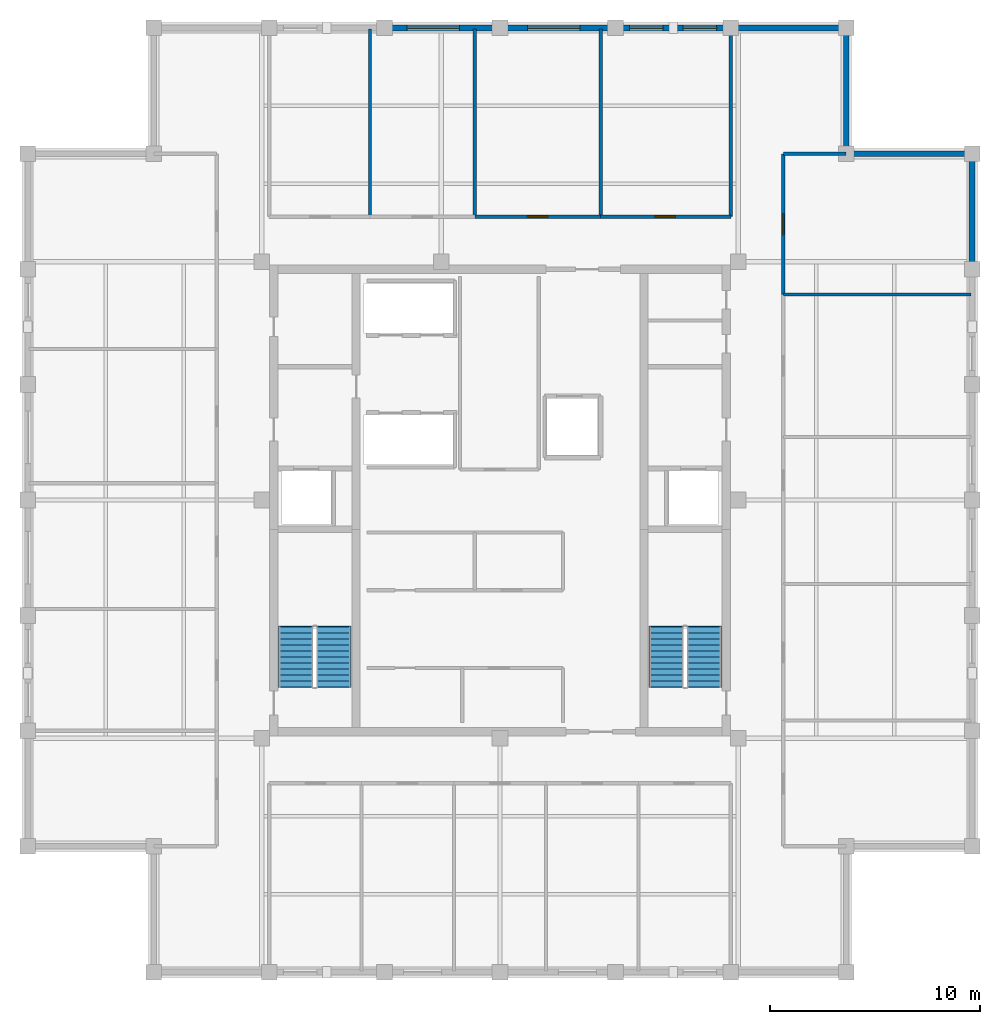
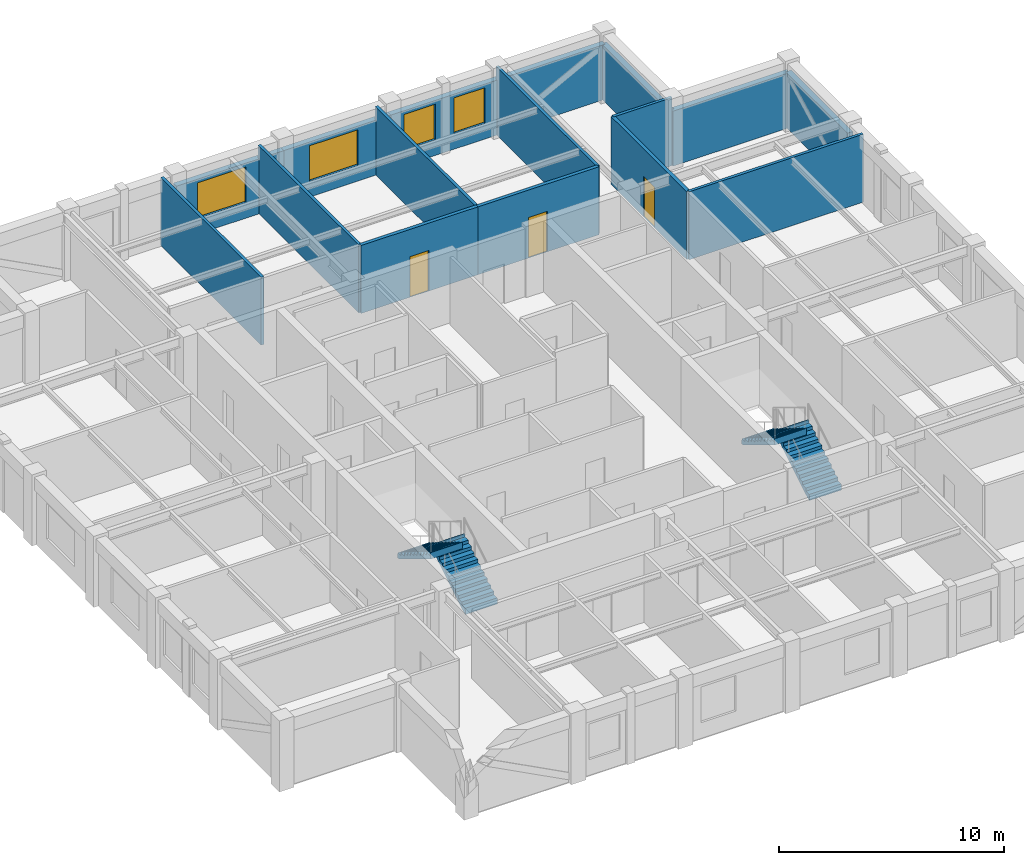
# One storey, part 5 of 6: 16 walls, 4 stair flights, 4 windows, 3 doors, 7 openings, 2 elements without a shape of their own.
"""IFC4 building model written with IfcOpenShell, lengths in metres."""

from ifc_helpers import new_model, si_unit, direction, frame, frame_2d, origin, place, context, subcontext, project, spatial, polyline, rectangle, outline, extrude, material, layer, layer_set, type_object, element, fill, aggregate, save


model = new_model("IFC4")

# Units and contexts
model_context = context("Model", 3, precision=1e-05, world=origin(), true_north=direction((0.0, 1.0)))
body_context = subcontext(model_context, "Body", "Model", "MODEL_VIEW")
ifc_project = project(units=[si_unit("LENGTHUNIT", "METRE"), si_unit("AREAUNIT", "SQUARE_METRE"), si_unit("VOLUMEUNIT", "CUBIC_METRE"), si_unit("PLANEANGLEUNIT", "RADIAN"), si_unit("MASSUNIT", "GRAM", prefix="KILO")], contexts=[model_context])

# Site, building, storey
site_placement = place(None, origin())
site = spatial("IfcSite", under=ifc_project, at=site_placement, CompositionType="ELEMENT")
building_placement = place(site_placement, origin())
building = spatial("IfcBuilding", under=site, at=building_placement, Name="Nhamokura Convention Tower", CompositionType="ELEMENT")
storey_placement = place(building_placement, frame((0.0, 0.0, 289.10009765625)))
storey = spatial("IfcBuildingStorey", under=building, at=storey_placement, Name="L71", CompositionType="ELEMENT", Elevation=289.10009765625)

# Wall, opening, window
ifc_material_1 = material(Name="Bronze-pigmented precast concrete C45/55", Category="concrete")
ifc_layer_1 = layer(ifc_material_1, 0.280029296875)
ifc_layer_set_1 = layer_set([ifc_layer_1], Name="BronzePrecastSpandrel_280")
wall_type_1 = type_object("IfcWallType", Name="BronzePrecastSpandrel_280", PredefinedType="USERDEFINED", material=ifc_layer_set_1)
wall_1_placement = place(storey_placement, frame((26.5, 54.5, 0.0), z_axis=(0.0, 0.0, 1.0), x_axis=(1.0, 0.0, 0.0)))
wall_1 = element("IfcWall", 1, at=wall_1_placement, inside=storey, type_object=wall_type_1, Name="L71 Masonry-Frame Wall NORTH 2", ObjectType="SPANDREL_WALL", PredefinedType="USERDEFINED", context=body_context, shape_type="SweptSolid", body=[
    extrude(rectangle(XDim=5.5, YDim=0.280029296875, at=frame_2d((2.75, 0.0))), origin(), (0.0, 0.0, 1.0), 2.98486328125),
])
opening_1_placement = place(wall_1_placement, frame((1.0625, 0.0, 0.85009765625)))
opening_1 = element("IfcOpeningElement", 2, at=opening_1_placement, cuts=wall_1, Name="Opening W-09", PredefinedType="OPENING", context=body_context, shape_type="SweptSolid", body=[
    extrude(rectangle(XDim=2.5, YDim=1.93505859375, at=frame_2d((1.25, 0.967529296875))), frame((0.0, 0.14990234375, 0.0), z_axis=(0.0, -1.0, 0.0), x_axis=(1.0, 0.0, 0.0)), (0.0, 0.0, 1.0), 0.300048828125),
])
ifc_material_2 = material(Name="Solar-control bronze low-E double glass", Category="glass")
window_type_1 = type_object("IfcWindowType", Name="SummitWindow_Z4_2500", PartitioningType="DOUBLE_PANEL_VERTICAL", PredefinedType="WINDOW", material=ifc_material_2)
window_1_placement = place(opening_1_placement, origin())
window_1 = element("IfcWindow", 3, at=window_1_placement, inside=storey, type_object=window_type_1, Name="L71 Facade Window NORTH 2-1", OverallHeight=1.93505859375, OverallWidth=2.5, PartitioningType="SINGLE_PANEL", PredefinedType="WINDOW", context=body_context, shape_type="SweptSolid", body=[
    extrude(rectangle(XDim=2.5, YDim=1.93505859375, at=frame_2d((1.25, 0.967529296875))), frame((0.0, 0.030029296875, 0.0), z_axis=(0.0, -1.0, 0.0), x_axis=(1.0, 0.0, 0.0)), (0.0, 0.0, 1.0), 0.06005859375),
])
fill(opening_1, window_1)

wall_2_placement = place(storey_placement, frame((32.0, 54.5, 0.0), z_axis=(0.0, 0.0, 1.0), x_axis=(1.0, 0.0, 0.0)))
wall_2 = element("IfcWall", 4, at=wall_2_placement, inside=storey, type_object=wall_type_1, Name="L71 Masonry-Frame Wall NORTH 3", ObjectType="SPANDREL_WALL", PredefinedType="USERDEFINED", context=body_context, shape_type="SweptSolid", body=[
    extrude(rectangle(XDim=5.5, YDim=0.280029296875, at=frame_2d((2.75, 0.0))), origin(), (0.0, 0.0, 1.0), 2.98486328125),
])
opening_2_placement = place(wall_2_placement, frame((1.3125, 0.0, 0.85009765625)))
opening_2 = element("IfcOpeningElement", 5, at=opening_2_placement, cuts=wall_2, Name="Opening W-09", PredefinedType="OPENING", context=body_context, shape_type="SweptSolid", body=[
    extrude(rectangle(XDim=2.5, YDim=1.93505859375, at=frame_2d((1.25, 0.967529296875))), frame((0.0, 0.14990234375, 0.0), z_axis=(0.0, -1.0, 0.0), x_axis=(1.0, 0.0, 0.0)), (0.0, 0.0, 1.0), 0.300048828125),
])
window_2_placement = place(opening_2_placement, origin())
window_2 = element("IfcWindow", 6, at=window_2_placement, inside=storey, type_object=window_type_1, Name="L71 Facade Window NORTH 3", OverallHeight=1.93505859375, OverallWidth=2.5, PartitioningType="SINGLE_PANEL", PredefinedType="WINDOW", context=body_context, shape_type="SweptSolid", body=[
    extrude(rectangle(XDim=2.5, YDim=1.93505859375, at=frame_2d((1.25, 0.967529296875))), frame((0.0, 0.030029296875, 0.0), z_axis=(0.0, -1.0, 0.0), x_axis=(1.0, 0.0, 0.0)), (0.0, 0.0, 1.0), 0.06005859375),
])
fill(opening_2, window_2)

# Wall, openings, windows
wall_3_placement = place(storey_placement, frame((37.5, 54.5, 0.0), z_axis=(0.0, 0.0, 1.0), x_axis=(1.0, 0.0, 0.0)))
wall_3 = element("IfcWall", 7, at=wall_3_placement, inside=storey, type_object=wall_type_1, Name="L71 Masonry-Frame Wall NORTH 4", ObjectType="SPANDREL_WALL", PredefinedType="USERDEFINED", context=body_context, shape_type="SweptSolid", body=[
    extrude(rectangle(XDim=5.5, YDim=0.280029296875, at=frame_2d((2.75, 0.0))), origin(), (0.0, 0.0, 1.0), 2.98486328125),
])
opening_3_placement = place(wall_3_placement, frame((0.675048828125, 0.0, 0.85009765625)))
opening_3 = element("IfcOpeningElement", 8, at=opening_3_placement, cuts=wall_3, Name="Opening W-11", PredefinedType="OPENING", context=body_context, shape_type="SweptSolid", body=[
    extrude(rectangle(XDim=1.60009765625, YDim=1.93505859375, at=frame_2d((0.800048828125, 0.967529296875))), frame((0.0, 0.14990234375, 0.0), z_axis=(0.0, -1.0, 0.0), x_axis=(1.0, 0.0, 0.0)), (0.0, 0.0, 1.0), 0.300048828125),
])
opening_4_placement = place(wall_3_placement, frame((3.22509765625, 0.0, 0.85009765625)))
opening_4 = element("IfcOpeningElement", 9, at=opening_4_placement, cuts=wall_3, Name="Opening W-11", PredefinedType="OPENING", context=body_context, shape_type="SweptSolid", body=[
    extrude(rectangle(XDim=1.60009765625, YDim=1.93505859375, at=frame_2d((0.800048828125, 0.967529296875))), frame((0.0, 0.14990234375, 0.0), z_axis=(0.0, -1.0, 0.0), x_axis=(1.0, 0.0, 0.0)), (0.0, 0.0, 1.0), 0.300048828125),
])
ifc_material_3 = material(Name="Solar-control bronze low-E double glass", Category="glass")
window_type_2 = type_object("IfcWindowType", Name="NotchCornerWindow_1600", PartitioningType="SINGLE_PANEL", PredefinedType="WINDOW", material=ifc_material_3)
window_3_placement = place(opening_3_placement, origin())
window_3 = element("IfcWindow", 10, at=window_3_placement, inside=storey, type_object=window_type_2, Name="L71 Facade Window NORTH 4-1", OverallHeight=1.93505859375, OverallWidth=1.60009765625, PartitioningType="SINGLE_PANEL", PredefinedType="WINDOW", context=body_context, shape_type="SweptSolid", body=[
    extrude(rectangle(XDim=1.60009765625, YDim=1.93505859375, at=frame_2d((0.800048828125, 0.967529296875))), frame((0.0, 0.030029296875, 0.0), z_axis=(0.0, -1.0, 0.0), x_axis=(1.0, 0.0, 0.0)), (0.0, 0.0, 1.0), 0.06005859375),
])
fill(opening_3, window_3)
window_4_placement = place(opening_4_placement, origin())
window_4 = element("IfcWindow", 11, at=window_4_placement, inside=storey, type_object=window_type_2, Name="L71 Facade Window NORTH 4-2", OverallHeight=1.93505859375, OverallWidth=1.60009765625, PartitioningType="SINGLE_PANEL", PredefinedType="WINDOW", context=body_context, shape_type="SweptSolid", body=[
    extrude(rectangle(XDim=1.60009765625, YDim=1.93505859375, at=frame_2d((0.800048828125, 0.967529296875))), frame((0.0, 0.030029296875, 0.0), z_axis=(0.0, -1.0, 0.0), x_axis=(1.0, 0.0, 0.0)), (0.0, 0.0, 1.0), 0.06005859375),
])
fill(opening_4, window_4)

# Walls
for number, where, z_axis, x_axis, name in (
    (12, (43.0, 54.5, 0.0), (0.0, 0.0, 1.0), (1.0, 0.0, 0.0), "L71 Braced-Bay Precast Wall NORTH 5"),
    (13, (54.5, 48.5, 0.0), (0.0, 0.0, 1.0), (0.0, -1.0, 0.0), "L71 Braced-Bay Precast Wall EAST 5"),
):
    element("IfcWall", number, at=place(storey_placement, frame(where, z_axis=z_axis, x_axis=x_axis)), inside=storey, type_object=wall_type_1, Name=name, ObjectType="SPANDREL_WALL", PredefinedType="USERDEFINED", context=body_context, shape_type="SweptSolid", body=[
        extrude(rectangle(XDim=5.5, YDim=0.280029296875, at=frame_2d((2.75, 0.0))), origin(), (0.0, 0.0, 1.0), 2.98486328125),
    ])
for number, where, z_axis, x_axis, name in (
    (14, (48.5, 48.5, 0.0), (0.0, 0.0, 1.0), (1.0, 0.0, 0.0), "L71 Notched Corner Wall NE1"),
    (15, (48.5, 54.5, 0.0), (0.0, 0.0, 1.0), (0.0, -1.0, 0.0), "L71 Notched Corner Wall NE2"),
):
    element("IfcWall", number, at=place(storey_placement, frame(where, z_axis=z_axis, x_axis=x_axis)), inside=storey, type_object=wall_type_1, Name=name, ObjectType="SPANDREL_WALL", PredefinedType="USERDEFINED", context=body_context, shape_type="SweptSolid", body=[
        extrude(rectangle(XDim=6.0, YDim=0.280029296875, at=frame_2d((3.0, 0.0))), origin(), (0.0, 0.0, 1.0), 2.98486328125),
    ])

# Wall, opening, door
ifc_material_4 = material(Name="Fire-rated gypsum and masonry partition", Category="masonry")
ifc_layer_2 = layer(ifc_material_4, 0.179931640625)
ifc_layer_set_2 = layer_set([ifc_layer_2], Name="CorridorRatedWall_180")
wall_type_2 = type_object("IfcWallType", Name="CorridorRatedWall_180", PredefinedType="STANDARD", material=ifc_layer_set_2)
wall_4_placement = place(storey_placement, frame((30.800048828125, 45.5, 0.0), z_axis=(0.0, 0.0, 1.0), x_axis=(1.0, 0.0, 0.0)))
wall_4 = element("IfcWall", 16, at=wall_4_placement, inside=storey, type_object=wall_type_2, Name="L71 Wall INT-L71-CW-N02", PredefinedType="STANDARD", context=body_context, shape_type="SweptSolid", body=[
    extrude(rectangle(XDim=6.0, YDim=0.179931640625, at=frame_2d((3.0, 0.0))), origin(), (0.0, 0.0, 1.0), 3.684814453125),
])
opening_5_placement = place(wall_4_placement, frame((2.5, 0.0, 0.0)))
opening_5 = element("IfcOpeningElement", 17, at=opening_5_placement, cuts=wall_4, Name="Opening D-08", PredefinedType="OPENING", context=body_context, shape_type="SweptSolid", body=[
    extrude(rectangle(XDim=0.97998046875, YDim=2.199951171875, at=frame_2d((0.489990234375, 1.10009765625))), frame((0.0, 0.099853515625, 0.0), z_axis=(0.0, -1.0, 0.0), x_axis=(1.0, 0.0, 0.0)), (0.0, 0.0, 1.0), 0.199951171875),
])
ifc_material_5 = material(Name="Solid oak hardwood", Category="wood")
door_type = type_object("IfcDoorType", Name="OfficeEntryDoor_980", OperationType="NOTDEFINED", PredefinedType="DOOR", material=ifc_material_5)
door_1_placement = place(opening_5_placement, origin())
door_1 = element("IfcDoor", 18, at=door_1_placement, inside=storey, type_object=door_type, Name="L71 Research Library N03 Door", OperationType="SINGLE_SWING_LEFT", OverallHeight=2.199951171875, OverallWidth=0.97998046875, PredefinedType="DOOR", context=body_context, shape_type="SweptSolid", body=[
    extrude(rectangle(XDim=0.97998046875, YDim=2.199951171875, at=frame_2d((0.489990234375, 1.10009765625))), frame((0.0, 0.02490234375, 0.0), z_axis=(0.0, -1.0, 0.0), x_axis=(1.0, 0.0, 0.0)), (0.0, 0.0, 1.0), 0.050048828125),
])
fill(opening_5, door_1)

wall_5_placement = place(storey_placement, frame((36.800048828125, 45.5, 0.0), z_axis=(0.0, 0.0, 1.0), x_axis=(1.0, 0.0, 0.0)))
wall_5 = element("IfcWall", 19, at=wall_5_placement, inside=storey, type_object=wall_type_2, Name="L71 Wall INT-L71-CW-N03", PredefinedType="STANDARD", context=body_context, shape_type="SweptSolid", body=[
    extrude(rectangle(XDim=6.199951171875, YDim=0.179931640625, at=frame_2d((3.10009765625, 0.0))), origin(), (0.0, 0.0, 1.0), 3.684814453125),
])
opening_6_placement = place(wall_5_placement, frame((2.574951171875, 0.0, 0.0)))
opening_6 = element("IfcOpeningElement", 20, at=opening_6_placement, cuts=wall_5, Name="Opening D-08", PredefinedType="OPENING", context=body_context, shape_type="SweptSolid", body=[
    extrude(rectangle(XDim=0.97998046875, YDim=2.199951171875, at=frame_2d((0.489990234375, 1.10009765625))), frame((0.0, 0.099853515625, 0.0), z_axis=(0.0, -1.0, 0.0), x_axis=(1.0, 0.0, 0.0)), (0.0, 0.0, 1.0), 0.199951171875),
])
door_2_placement = place(opening_6_placement, origin())
door_2 = element("IfcDoor", 21, at=door_2_placement, inside=storey, type_object=door_type, Name="L71 Research Library N04 Door", OperationType="SINGLE_SWING_RIGHT", OverallHeight=2.199951171875, OverallWidth=0.97998046875, PredefinedType="DOOR", context=body_context, shape_type="SweptSolid", body=[
    extrude(rectangle(XDim=0.97998046875, YDim=2.199951171875, at=frame_2d((0.489990234375, 1.10009765625))), frame((0.0, 0.02490234375, 0.0), z_axis=(0.0, -1.0, 0.0), x_axis=(1.0, 0.0, 0.0)), (0.0, 0.0, 1.0), 0.050048828125),
])
fill(opening_6, door_2)

wall_6_placement = place(storey_placement, frame((45.5, 41.800048828125, 0.0), z_axis=(0.0, 0.0, 1.0), x_axis=(0.0, 1.0, 0.0)))
wall_6 = element("IfcWall", 22, at=wall_6_placement, inside=storey, type_object=wall_type_2, Name="L71 Wall INT-L71-CW-E04", PredefinedType="STANDARD", context=body_context, shape_type="SweptSolid", body=[
    extrude(rectangle(XDim=6.699951171875, YDim=0.179931640625, at=frame_2d((3.35009765625, 0.0))), origin(), (0.0, 0.0, 1.0), 3.684814453125),
])
opening_7_placement = place(wall_6_placement, frame((2.85009765625, 0.0, 0.0)))
opening_7 = element("IfcOpeningElement", 23, at=opening_7_placement, cuts=wall_6, Name="Opening D-08", PredefinedType="OPENING", context=body_context, shape_type="SweptSolid", body=[
    extrude(rectangle(XDim=0.97998046875, YDim=2.199951171875, at=frame_2d((0.489990234375, 1.10009765625))), frame((0.0, 0.099853515625, 0.0), z_axis=(0.0, -1.0, 0.0), x_axis=(1.0, 0.0, 0.0)), (0.0, 0.0, 1.0), 0.199951171875),
])
door_3_placement = place(opening_7_placement, origin())
door_3 = element("IfcDoor", 24, at=door_3_placement, inside=storey, type_object=door_type, Name="L71 Reading Lounge E05 Door", OperationType="SINGLE_SWING_LEFT", OverallHeight=2.199951171875, OverallWidth=0.97998046875, PredefinedType="DOOR", context=body_context, shape_type="SweptSolid", body=[
    extrude(rectangle(XDim=0.97998046875, YDim=2.199951171875, at=frame_2d((0.489990234375, 1.10009765625))), frame((0.0, 0.02490234375, 0.0), z_axis=(0.0, -1.0, 0.0), x_axis=(1.0, 0.0, 0.0)), (0.0, 0.0, 1.0), 0.050048828125),
])
fill(opening_7, door_3)

# Walls
ifc_material_6 = material(Name="Acoustic gypsum stud partition", Category="masonry")
ifc_layer_3 = layer(ifc_material_6, 0.14990234375)
ifc_layer_set_3 = layer_set([ifc_layer_3], Name="InteriorPartition_150")
wall_type_3 = type_object("IfcWallType", Name="InteriorPartition_150", PredefinedType="STANDARD", material=ifc_layer_set_3)
for number, where, z_axis, x_axis, name in (
    (25, (43.0, 45.5, 0.0), (0.0, 0.0, 1.0), (0.0, 1.0, 0.0), "L71 Wall INT-L71-RWR-N"),
    (26, (25.800048828125, 45.5, 0.0), (0.0, 0.0, 1.0), (0.0, 1.0, 0.0), "L71 Wall INT-L71-RW-N01"),
    (27, (30.800048828125, 45.5, 0.0), (0.0, 0.0, 1.0), (0.0, 1.0, 0.0), "L71 Wall INT-L71-RW-N02"),
    (28, (36.800048828125, 45.5, 0.0), (0.0, 0.0, 1.0), (0.0, 1.0, 0.0), "L71 Wall INT-L71-RW-N03"),
    (29, (45.5, 41.800048828125, 0.0), (0.0, 0.0, 1.0), (1.0, 0.0, 0.0), "L71 Wall INT-L71-RW-E04"),
):
    element("IfcWall", number, at=place(storey_placement, frame(where, z_axis=z_axis, x_axis=x_axis)), inside=storey, type_object=wall_type_3, Name=name, PredefinedType="STANDARD", context=body_context, shape_type="SweptSolid", body=[
        extrude(rectangle(XDim=8.93994140625, YDim=0.14990234375, at=frame_2d((4.469970703125, 0.0))), origin(), (0.0, 0.0, 1.0), 3.684814453125),
    ])
wall_7_placement = place(storey_placement, frame((45.5, 48.5, 0.0), z_axis=(0.0, 0.0, 1.0), x_axis=(1.0, 0.0, 0.0)))
element("IfcWall", 30, at=wall_7_placement, inside=storey, type_object=wall_type_3, Name="L71 Wall INT-L71-VSTP-EN", PredefinedType="STANDARD", context=body_context, shape_type="SweptSolid", body=[
    extrude(rectangle(XDim=3.0, YDim=0.14990234375, at=frame_2d((1.5, 0.0))), origin(), (0.0, 0.0, 1.0), 3.684814453125),
])

# Stair, stair flights
ifc_material_7 = material(Name="Concrete C40/50", Category="concrete")
stair_type = type_object("IfcStairType", Name="TowerCoreStair_1650", PredefinedType="HALF_TURN_STAIR", material=ifc_material_7)
stair_1_placement = place(storey_placement, origin())
stair_1 = element("IfcStair", 31, at=stair_1_placement, inside=storey, type_object=stair_type, Name="L71 West Core Smokeproof Stair ST-01", PredefinedType="HALF_TURN_STAIR")
ifc_material_8 = material(Name="Concrete C40/50", Category="concrete")
stair_flight_type = type_object("IfcStairFlightType", Name="TowerCoreStair_1650_Flight", PredefinedType="STRAIGHT", material=ifc_material_8)
stair_flight_1_placement = place(storey_placement, frame((24.074951171875, 23.10009765625, 0.0), z_axis=(0.0, 0.0, 1.0), x_axis=(0.0, 1.0, 0.0)))
stair_flight_1 = element("IfcStairFlight", 32, at=stair_flight_1_placement, type_object=stair_flight_type, Name="ST-01 flight 1", NumberOfRisers=11, NumberOfTreads=10, PredefinedType="STRAIGHT", RiserHeight=0.175, TreadLength=0.285, context=body_context, shape_type="SweptSolid", body=[
    extrude(outline(polyline([(-0.0419921875, 0.0), (0.0, 0.175048828125), (0.284912109375, 0.175048828125), (0.284912109375, 0.35009765625), (0.570068359375, 0.35009765625), (0.570068359375, 0.52490234375), (0.85498046875, 0.52490234375), (0.85498046875, 0.699951171875), (1.139892578125, 0.699951171875), (1.139892578125, 0.875), (1.425048828125, 0.875), (1.425048828125, 1.050048828125), (1.7099609375, 1.050048828125), (1.7099609375, 1.22509765625), (1.9951171875, 1.22509765625), (1.9951171875, 1.39990234375), (2.280029296875, 1.39990234375), (2.280029296875, 1.574951171875), (2.56494140625, 1.574951171875), (2.56494140625, 1.75), (2.85009765625, 1.75), (2.85009765625, 1.925048828125), (2.89208984375, 1.925048828125), (2.89208984375, 1.573974609375), (2.85009765625, 1.573974609375), (0.286376953125, 0.0), (0.02001953125, -0.1298828125), (-0.0419921875, -0.1298828125), (-0.0419921875, 0.0)])), frame((0.0, 0.824951171875, 0.0), z_axis=(0.0, -1.0, 0.0), x_axis=(1.0, 0.0, 0.0)), (0.0, 0.0, 1.0), 1.64990234375),
])
stair_flight_2_placement = place(storey_placement, frame((22.27490234375, 25.949951171875, 1.9248046875), z_axis=(0.0, 0.0, 1.0), x_axis=(0.0, -1.0, 0.0)))
stair_flight_2 = element("IfcStairFlight", 33, at=stair_flight_2_placement, type_object=stair_flight_type, Name="ST-01 flight 2", NumberOfRisers=11, NumberOfTreads=10, PredefinedType="STRAIGHT", RiserHeight=0.175, TreadLength=0.285, context=body_context, shape_type="SweptSolid", body=[
    extrude(outline(polyline([(-0.0419921875, 0.0), (0.0, 0.175048828125), (0.284912109375, 0.175048828125), (0.284912109375, 0.35009765625), (0.570068359375, 0.35009765625), (0.570068359375, 0.52490234375), (0.85498046875, 0.52490234375), (0.85498046875, 0.699951171875), (1.139892578125, 0.699951171875), (1.139892578125, 0.875), (1.425048828125, 0.875), (1.425048828125, 1.050048828125), (1.7099609375, 1.050048828125), (1.7099609375, 1.22509765625), (1.9951171875, 1.22509765625), (1.9951171875, 1.39990234375), (2.280029296875, 1.39990234375), (2.280029296875, 1.574951171875), (2.56494140625, 1.574951171875), (2.56494140625, 1.75), (2.85009765625, 1.75), (2.85009765625, 1.925048828125), (2.89208984375, 1.925048828125), (2.89208984375, 1.573974609375), (2.85009765625, 1.573974609375), (0.286376953125, 0.0), (0.02001953125, -0.1298828125), (-0.0419921875, -0.1298828125), (-0.0419921875, 0.0)])), frame((0.0, 0.824951171875, 0.0), z_axis=(0.0, -1.0, 0.0), x_axis=(1.0, 0.0, 0.0)), (0.0, 0.0, 1.0), 1.64990234375),
])
aggregate(stair_1, [stair_flight_1, stair_flight_2])

stair_2_placement = place(storey_placement, origin())
stair_2 = element("IfcStair", 34, at=stair_2_placement, inside=storey, type_object=stair_type, Name="L71 East Core Smokeproof Stair ST-02", PredefinedType="HALF_TURN_STAIR")
stair_flight_3_placement = place(storey_placement, frame((41.72509765625, 23.10009765625, 0.0), z_axis=(0.0, 0.0, 1.0), x_axis=(0.0, 1.0, 0.0)))
stair_flight_3 = element("IfcStairFlight", 35, at=stair_flight_3_placement, type_object=stair_flight_type, Name="ST-02 flight 1", NumberOfRisers=11, NumberOfTreads=10, PredefinedType="STRAIGHT", RiserHeight=0.175, TreadLength=0.285, context=body_context, shape_type="SweptSolid", body=[
    extrude(outline(polyline([(-0.0419921875, 0.0), (0.0, 0.175048828125), (0.284912109375, 0.175048828125), (0.284912109375, 0.35009765625), (0.570068359375, 0.35009765625), (0.570068359375, 0.52490234375), (0.85498046875, 0.52490234375), (0.85498046875, 0.699951171875), (1.139892578125, 0.699951171875), (1.139892578125, 0.875), (1.425048828125, 0.875), (1.425048828125, 1.050048828125), (1.7099609375, 1.050048828125), (1.7099609375, 1.22509765625), (1.9951171875, 1.22509765625), (1.9951171875, 1.39990234375), (2.280029296875, 1.39990234375), (2.280029296875, 1.574951171875), (2.56494140625, 1.574951171875), (2.56494140625, 1.75), (2.85009765625, 1.75), (2.85009765625, 1.925048828125), (2.89208984375, 1.925048828125), (2.89208984375, 1.573974609375), (2.85009765625, 1.573974609375), (0.286376953125, 0.0), (0.02001953125, -0.1298828125), (-0.0419921875, -0.1298828125), (-0.0419921875, 0.0)])), frame((0.0, 0.824951171875, 0.0), z_axis=(0.0, -1.0, 0.0), x_axis=(1.0, 0.0, 0.0)), (0.0, 0.0, 1.0), 1.64990234375),
])
stair_flight_4_placement = place(storey_placement, frame((39.925048828125, 25.949951171875, 1.9248046875), z_axis=(0.0, 0.0, 1.0), x_axis=(0.0, -1.0, 0.0)))
stair_flight_4 = element("IfcStairFlight", 36, at=stair_flight_4_placement, type_object=stair_flight_type, Name="ST-02 flight 2", NumberOfRisers=11, NumberOfTreads=10, PredefinedType="STRAIGHT", RiserHeight=0.175, TreadLength=0.285, context=body_context, shape_type="SweptSolid", body=[
    extrude(outline(polyline([(-0.0419921875, 0.0), (0.0, 0.175048828125), (0.284912109375, 0.175048828125), (0.284912109375, 0.35009765625), (0.570068359375, 0.35009765625), (0.570068359375, 0.52490234375), (0.85498046875, 0.52490234375), (0.85498046875, 0.699951171875), (1.139892578125, 0.699951171875), (1.139892578125, 0.875), (1.425048828125, 0.875), (1.425048828125, 1.050048828125), (1.7099609375, 1.050048828125), (1.7099609375, 1.22509765625), (1.9951171875, 1.22509765625), (1.9951171875, 1.39990234375), (2.280029296875, 1.39990234375), (2.280029296875, 1.574951171875), (2.56494140625, 1.574951171875), (2.56494140625, 1.75), (2.85009765625, 1.75), (2.85009765625, 1.925048828125), (2.89208984375, 1.925048828125), (2.89208984375, 1.573974609375), (2.85009765625, 1.573974609375), (0.286376953125, 0.0), (0.02001953125, -0.1298828125), (-0.0419921875, -0.1298828125), (-0.0419921875, 0.0)])), frame((0.0, 0.824951171875, 0.0), z_axis=(0.0, -1.0, 0.0), x_axis=(1.0, 0.0, 0.0)), (0.0, 0.0, 1.0), 1.64990234375),
])
aggregate(stair_2, [stair_flight_3, stair_flight_4])

save(model, "model.ifc")
